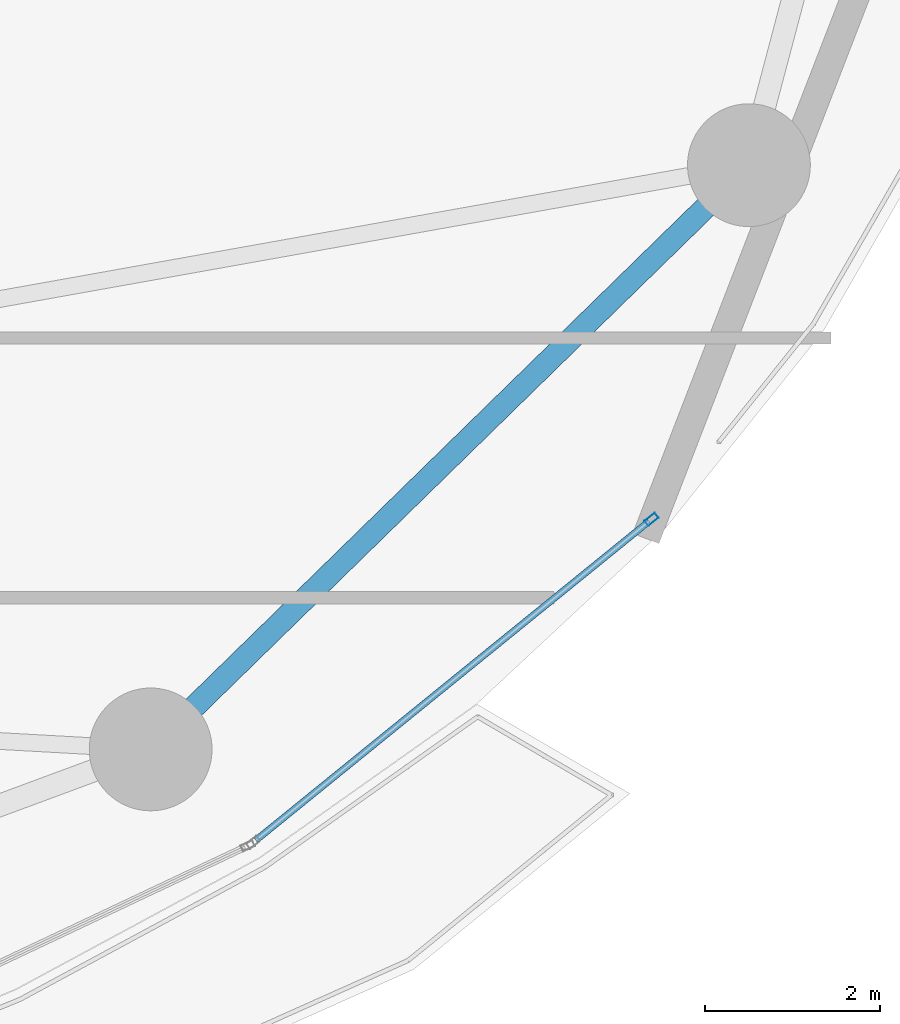
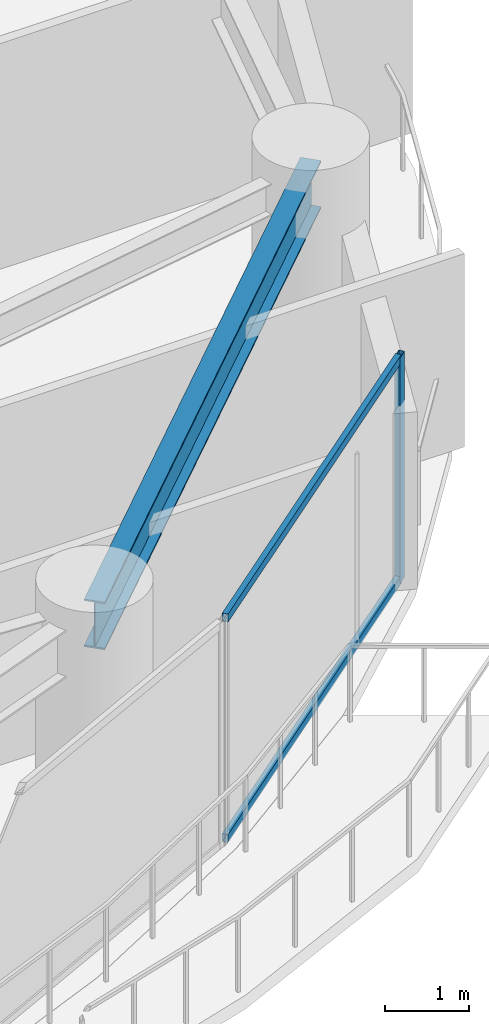
# One storey, part 15 of 30: 3 members, 1 beam, 1 element without a shape of its own.
"""IFC4 building model written with IfcOpenShell, lengths in metres."""

from ifc_helpers import new_model, si_unit, direction, frame, origin, origin_2d, place, context, subcontext, project, spatial, hollow_rectangle, i_section, extrude, material, layer, layer_set, material_profile, profile_set, type_object, element, aggregate, save


model = new_model("IFC4")

# Units and contexts
model_context = context("Model", 3, precision=1e-05, world=origin(), true_north=direction((0.0, 1.0)))
body_context = subcontext(model_context, "Body", "Model", "MODEL_VIEW")
ifc_project = project(units=[si_unit("LENGTHUNIT", "METRE"), si_unit("AREAUNIT", "SQUARE_METRE"), si_unit("VOLUMEUNIT", "CUBIC_METRE"), si_unit("PLANEANGLEUNIT", "RADIAN"), si_unit("MASSUNIT", "GRAM", prefix="KILO")], contexts=[model_context])

# Site, building, storey
site_placement = place(None, origin())
site = spatial("IfcSite", under=ifc_project, at=site_placement, CompositionType="ELEMENT")
building_placement = place(site_placement, origin())
building = spatial("IfcBuilding", under=site, at=building_placement, Name="Kazevale Care Tower and Concert Hall", CompositionType="ELEMENT")
storey_placement = place(building_placement, frame((0.0, 0.0, 88.800048828125)))
storey = spatial("IfcBuildingStorey", under=building, at=storey_placement, Name="L23", CompositionType="ELEMENT", Elevation=88.800048828125)

# Curtain wall, members
ifc_material_1 = material(Name="Aluminium 6063-T6 and Low-E Glass", Category="aluminium")
ifc_layer = layer(ifc_material_1, 0.179931640625)
ifc_layer_set = layer_set([ifc_layer], Name="Aluminium 6063-T6 and Low-E Glass")
curtain_wall_type = type_object("IfcCurtainWallType", Name="Sheltered Concave Balcony Curtain Wall CW-5", PredefinedType="NOTDEFINED", material=ifc_layer_set)
curtain_wall_placement = place(storey_placement, origin())
curtain_wall = element("IfcCurtainWall", 1, at=curtain_wall_placement, inside=storey, type_object=curtain_wall_type, Name="cw:L23:f02", PredefinedType="NOTDEFINED")
ifc_material_2 = material(Name="Aluminium 6063-T6", Category="aluminium")
ifc_material_profile_1 = material_profile(ifc_material_2, hollow_rectangle(XDim=0.074951171875, YDim=0.14990234375, WallThickness=0.00390625, at=origin_2d()), Name="ALU75x150x4")
ifc_profile_set_1 = profile_set([ifc_material_profile_1], Name="Aluminium 6063-T6")
member_type_1 = type_object("IfcMemberType", Name="CW-5 Mullion ALU75x150x4", PredefinedType="MULLION", material=ifc_profile_set_1)
member_1_placement = place(storey_placement, frame((72.949951171875, 24.933349609375, 0.0), z_axis=(0.0, 0.0, 1.0), x_axis=(0.629994732952, -0.77659940539, 0.0)))
member_1 = element("IfcMember", 2, at=member_1_placement, type_object=member_type_1, Name="CW-5 mullion 1", PredefinedType="MULLION", context=body_context, shape_type="SweptSolid", body=[
    extrude(hollow_rectangle(XDim=0.074951171875, YDim=0.14990234375, WallThickness=0.00390625, at=origin_2d()), origin(), (0.0, 0.0, 1.0), 3.280029296875),
])
ifc_material_profile_2 = material_profile(ifc_material_2, hollow_rectangle(XDim=0.074951171875, YDim=0.1201171875, WallThickness=0.00390625, at=origin_2d()), Name="ALU75x120x4")
ifc_profile_set_2 = profile_set([ifc_material_profile_2], Name="Aluminium 6063-T6")
member_type_2 = type_object("IfcMemberType", Name="CW-5 Transom ALU75x120x4", PredefinedType="USERDEFINED", material=ifc_profile_set_2)
member_2_placement = place(storey_placement, frame((72.920654296875, 24.90966796875, 0.037353515625), z_axis=(-0.77659518273, -0.629999938223, 0.0), x_axis=(0.629999938223, -0.77659518273, 0.0)))
member_2 = element("IfcMember", 3, at=member_2_placement, type_object=member_type_2, Name="CW-5 transom 1.1", ObjectType="TRANSOM", PredefinedType="USERDEFINED", context=body_context, shape_type="SweptSolid", body=[
    extrude(hollow_rectangle(XDim=0.074951171875, YDim=0.1201171875, WallThickness=0.00390625, at=origin_2d()), origin(), (0.0, 0.0, 1.0), 5.770751953125),
])
member_3_placement = place(storey_placement, frame((72.920654296875, 24.90966796875, 3.242431640625), z_axis=(-0.77659518273, -0.629999938223, 0.0), x_axis=(0.629999938223, -0.77659518273, 0.0)))
member_3 = element("IfcMember", 4, at=member_3_placement, type_object=member_type_2, Name="CW-5 transom 1.2", ObjectType="TRANSOM", PredefinedType="USERDEFINED", context=body_context, shape_type="SweptSolid", body=[
    extrude(hollow_rectangle(XDim=0.074951171875, YDim=0.1201171875, WallThickness=0.00390625, at=origin_2d()), origin(), (0.0, 0.0, 1.0), 5.770751953125),
])
aggregate(curtain_wall, [member_1, member_2, member_3])

# Beam
ifc_material_3 = material(Name="Steel ASTM A572 Gr 50", Category="steel")
ifc_material_profile_3 = material_profile(ifc_material_3, i_section(OverallWidth=0.256103515625, OverallDepth=0.693115234375, WebThickness=0.014404296875, FlangeThickness=0.023681640625, at=origin_2d()), Name="W690x170")
ifc_profile_set_3 = profile_set([ifc_material_profile_3], Name="Steel ASTM A572 Gr 50")
beam_type = type_object("IfcBeamType", Name="Waist Ring Beam W690x170", PredefinedType="BEAM", material=ifc_profile_set_3)
beam_placement = place(storey_placement, frame((67.239990234375, 22.31005859375, 2.933349609375), z_axis=(0.715457453508, 0.698656304788, 0.0), x_axis=(-0.698656304788, 0.715457453508, 0.0)))
element("IfcBeam", 5, at=beam_placement, inside=storey, type_object=beam_type, Name="beam:L23:ring:15", PredefinedType="BEAM", context=body_context, shape_type="SweptSolid", body=[
    extrude(i_section(OverallWidth=0.256103515625, OverallDepth=0.693115234375, WebThickness=0.014404296875, FlangeThickness=0.023681640625, at=origin_2d()), origin(), (0.0, 0.0, 1.0), 9.532470703125),
])

save(model, "model.ifc")
